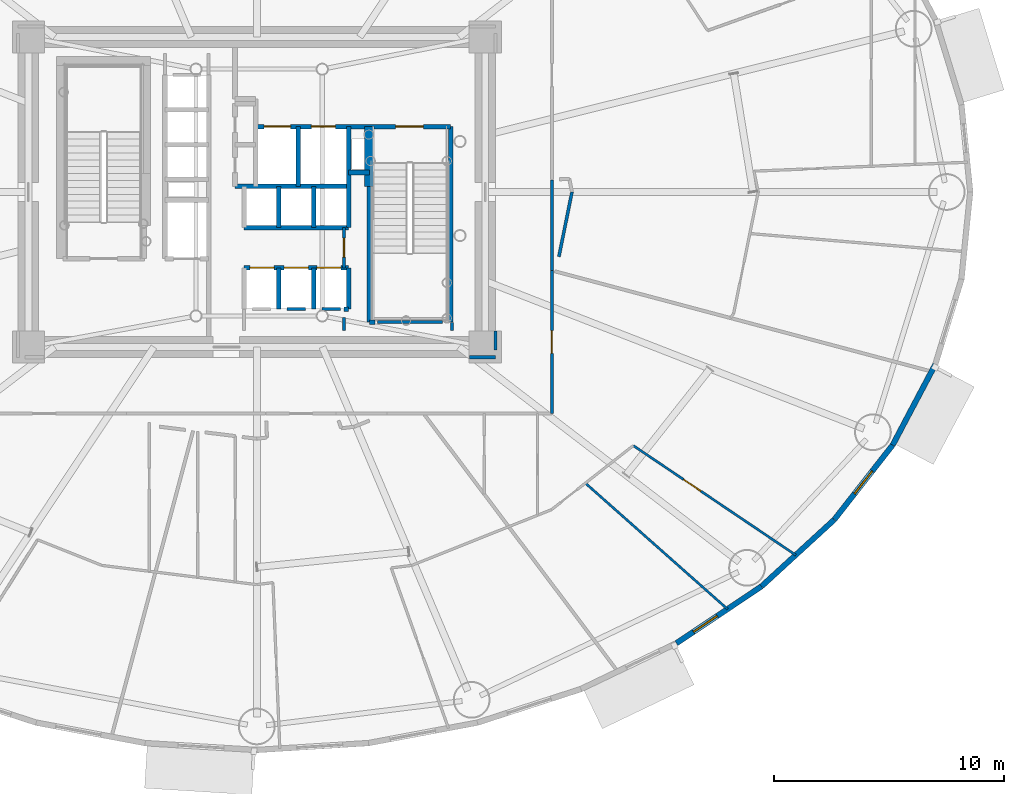
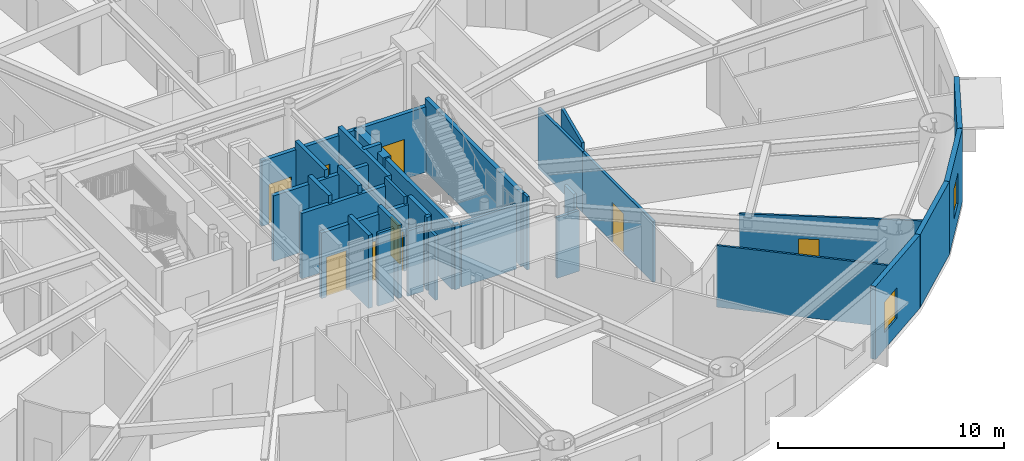
# One storey, part 13 of 24: 34 walls, 9 doors, 2 windows, 11 openings.
"""IFC4 building model written with IfcOpenShell, lengths in metres."""

import ifcopenshell
import ifcopenshell.guid

model = None  # the IFC model being written
_history = None  # IfcOwnerHistory: only IFC2X3 demands one
_inside = {}  # id of a spatial element -> (the spatial element, [elements in it])
_under = {}  # id of a project, library or spatial element -> (it, [spatial elements below it])
_declared = {}  # id of a project -> (the project, [libraries it declares])
_typed = {}  # id of a type object -> (the type object, [elements of that type])
_made_of = {}  # id of a material, layer set ... -> (it, [elements and type objects made of it])


def new_model(schema):
    """Start an empty IFC model of exactly this schema.

    Asked for "IFC4X3", IfcOpenShell would pick the latest addendum, in which some entities
    have other attributes; the version numbers below select the first issue.
    IFC2X3 requires an IfcOwnerHistory on every rooted entity: one is made here for all.
    """
    global model, _history
    if schema == "IFC4X3":
        model = ifcopenshell.file(schema_version=(4, 3, 0, 0))
    else:
        model = ifcopenshell.file(schema=schema)
    _inside.clear()
    _under.clear()
    _declared.clear()
    _typed.clear()
    _made_of.clear()
    _history = None
    if model.schema == "IFC2X3":
        org = make("IfcOrganization", Name="unknown")
        user = make(
            "IfcPersonAndOrganization",
            ThePerson=make("IfcPerson", FamilyName="unknown"),
            TheOrganization=org,
        )
        app = make(
            "IfcApplication",
            ApplicationDeveloper=org,
            Version="unknown",
            ApplicationFullName="unknown",
            ApplicationIdentifier="unknown",
        )
        _history = make(
            "IfcOwnerHistory",
            OwningUser=user,
            OwningApplication=app,
            ChangeAction="ADDED",
            CreationDate=0,
        )
    return model


def make(cls, **values):
    """One entity of the class cls with the attributes given. An attribute that is None is left unset."""
    return model.create_entity(
        cls, **{name: value for name, value in values.items() if value is not None}
    )


def rooted(cls, **values):
    """An entity with a GlobalId (a new one), such as an element, a storey or a relation."""
    return make(cls, GlobalId=ifcopenshell.guid.new(), OwnerHistory=_history, **values)


def si_unit(unit_type, name, prefix=None):
    """IfcSIUnit, for example si_unit("LENGTHUNIT", "METRE", prefix="MILLI")."""
    return make("IfcSIUnit", UnitType=unit_type, Prefix=prefix, Name=name)


def assignment(units):
    """IfcUnitAssignment: the units of a project."""
    return None if units is None else make("IfcUnitAssignment", Units=units)


def point(xyz):
    """IfcCartesianPoint."""
    return None if xyz is None else make("IfcCartesianPoint", Coordinates=xyz)


def direction(xyz):
    """IfcDirection."""
    return None if xyz is None else make("IfcDirection", DirectionRatios=xyz)


def frame(location, z_axis=None, x_axis=None):
    """IfcAxis2Placement3D, a coordinate frame: its origin and axes. An axis left out is left unset."""
    return make(
        "IfcAxis2Placement3D",
        Location=point(location),
        Axis=direction(z_axis),
        RefDirection=direction(x_axis),
    )


def frame_2d(location, x_axis=None):
    """IfcAxis2Placement2D, a coordinate frame in the plane: its origin and x axis."""
    return make(
        "IfcAxis2Placement2D", Location=point(location), RefDirection=direction(x_axis)
    )


def origin():
    """The frame at (0, 0, 0) with its axes left unset."""
    return frame((0.0, 0.0, 0.0))


def origin_2d():
    """The frame at (0, 0) in the plane with its x axis left unset."""
    return frame_2d((0.0, 0.0))


def place(relative_to, where):
    """IfcLocalPlacement: puts the frame where relative to a parent placement (None: the world)."""
    return make(
        "IfcLocalPlacement", PlacementRelTo=relative_to, RelativePlacement=where
    )


def context(
    kind, dimensions, precision=None, world=None, true_north=None, identifier=None
):
    """IfcGeometricRepresentationContext, for example the 3D "Model" context."""
    return make(
        "IfcGeometricRepresentationContext",
        ContextIdentifier=identifier,
        ContextType=kind,
        CoordinateSpaceDimension=dimensions,
        Precision=precision,
        WorldCoordinateSystem=world,
        TrueNorth=true_north,
    )


def subcontext(parent, identifier, kind, view, scale=None):
    """IfcGeometricRepresentationSubContext, for example "Body" below "Model"."""
    return make(
        "IfcGeometricRepresentationSubContext",
        ContextIdentifier=identifier,
        ContextType=kind,
        ParentContext=parent,
        TargetScale=scale,
        TargetView=view,
    )


def project(units=None, contexts=None):
    """IfcProject with its units and contexts."""
    return rooted(
        "IfcProject",
        Name="project",
        RepresentationContexts=contexts,
        UnitsInContext=assignment(units),
    )


def spatial(cls, under=None, at=None, **own):
    """A site, building, storey or space (cls), placed at a placement, below another one or the project."""
    s = rooted(cls, ObjectPlacement=at, **own)
    if under is not None:
        _under.setdefault(under.id(), (under, []))[1].append(s)
    return s


def profile(cls, at=None, kind="AREA", **sizes):
    """A parametric profile (cls). Its sizes go by their IFC names, for example OverallWidth=200.0."""
    return make(cls, ProfileType=kind, Position=at, **sizes)


def rectangle(**sizes):
    """IfcRectangleProfileDef."""
    return profile("IfcRectangleProfileDef", **sizes)


def extrude(swept, where, along, depth):
    """IfcExtrudedAreaSolid: the profile swept, set in the frame where, extruded along a direction by depth."""
    return make(
        "IfcExtrudedAreaSolid",
        SweptArea=swept,
        Position=where,
        ExtrudedDirection=direction(along),
        Depth=depth,
    )


def shape(context_of_items, identifier, shape_type, items):
    """IfcShapeRepresentation: the items that make up one representation, for example the "Body"."""
    return make(
        "IfcShapeRepresentation",
        ContextOfItems=context_of_items,
        RepresentationIdentifier=identifier,
        RepresentationType=shape_type,
        Items=items,
    )


def source(mapping_origin, context_of_items, identifier, shape_type, items):
    """IfcRepresentationMap: a shape defined once, which mapped items show again and again."""
    return make(
        "IfcRepresentationMap",
        MappingOrigin=mapping_origin,
        MappedRepresentation=shape(context_of_items, identifier, shape_type, items),
    )


def transform(
    local_origin,
    x_axis=None,
    y_axis=None,
    z_axis=None,
    scale=None,
    scale2=None,
    scale3=None,
    uniform=True,
):
    """IfcCartesianTransformationOperator3D, or its non-uniform kind. x_axis, y_axis, z_axis: its Axis1, 2, 3."""
    if uniform:
        return make(
            "IfcCartesianTransformationOperator3D",
            Axis1=direction(x_axis),
            Axis2=direction(y_axis),
            LocalOrigin=point(local_origin),
            Scale=scale,
            Axis3=direction(z_axis),
        )
    return make(
        "IfcCartesianTransformationOperator3DnonUniform",
        Axis1=direction(x_axis),
        Axis2=direction(y_axis),
        LocalOrigin=point(local_origin),
        Scale=scale,
        Axis3=direction(z_axis),
        Scale2=scale2,
        Scale3=scale3,
    )


def mapped(mapping_source, mapping_target):
    """IfcMappedItem: shows the shape of a source again, moved by a transform."""
    return make(
        "IfcMappedItem", MappingSource=mapping_source, MappingTarget=mapping_target
    )


def material(Name=None, Category=None):
    """IfcMaterial."""
    return make("IfcMaterial", Name=Name, Category=Category)


def layer(
    of_material, thickness, ventilated=None, Name=None, Category=None, Priority=None
):
    """IfcMaterialLayer: one layer of a wall or slab, of a material (None: an air gap)."""
    return make(
        "IfcMaterialLayer",
        Material=of_material,
        LayerThickness=thickness,
        IsVentilated=ventilated,
        Name=Name,
        Category=Category,
        Priority=Priority,
    )


def layer_set(layers, Name=None):
    """IfcMaterialLayerSet."""
    return make("IfcMaterialLayerSet", MaterialLayers=layers, LayerSetName=Name)


def made_of(thing, what):
    """Note that an element or type object is made of a material, layer set ...; save() writes the relation."""
    if what is not None:
        _made_of.setdefault(what.id(), (what, []))[1].append(thing)
    return thing


def type_object(cls, material=None, **own):
    """A type object (cls), such as IfcWallType, which elements share."""
    return made_of(rooted(cls, **own), material)


def element(
    cls,
    number,
    at=None,
    inside=None,
    cuts=None,
    type_object=None,
    material=None,
    context=None,
    identifier="Body",
    shape_type=None,
    held_by="IfcProductDefinitionShape",
    body=None,
    shapes=None,
    **own,
):
    """One element of the class cls, such as IfcWall. Its Tag is "e" and its number.

    at: its placement. inside: the storey or other place that contains it. cuts: it is an
    opening in that element (IfcRelVoidsElement). A single representation is given by context,
    identifier, shape_type and body (its items); several are given by shapes. held_by: the class
    of the entity that holds the representations. save() writes the other relations.
    """
    e = rooted(cls, Tag="e%d" % number, ObjectPlacement=at, **own)
    if body is not None:
        shapes = [shape(context, identifier, shape_type, body)]
    if shapes is not None:
        e.Representation = make(held_by, Representations=shapes)
    if inside is not None:
        _inside.setdefault(inside.id(), (inside, []))[1].append(e)
    if cuts is not None:
        rooted(
            "IfcRelVoidsElement", RelatingBuildingElement=cuts, RelatedOpeningElement=e
        )
    if type_object is not None:
        _typed.setdefault(type_object.id(), (type_object, []))[1].append(e)
    return made_of(e, material)


def fill(opening, filler):
    """IfcRelFillsElement: the door or window that sits in an opening."""
    return rooted(
        "IfcRelFillsElement",
        RelatingOpeningElement=opening,
        RelatedBuildingElement=filler,
    )


def aggregate(whole, parts):
    """IfcRelAggregates: a whole, such as a stair, and the parts it consists of."""
    return rooted("IfcRelAggregates", RelatingObject=whole, RelatedObjects=parts)


def save(model, path):
    """Write the relations noted so far, then the file.

    IfcRelAggregates (storeys below a building ...), IfcRelContainedInSpatialStructure (elements
    in a storey), IfcRelDefinesByType, IfcRelAssociatesMaterial and IfcRelDeclares: one each for
    every whole, place, type object, material and project.
    """
    for whole, parts in _under.values():
        aggregate(whole, parts)
    for where, things in _inside.values():
        rooted(
            "IfcRelContainedInSpatialStructure",
            RelatedElements=things,
            RelatingStructure=where,
        )
    for kind, things in _typed.values():
        rooted("IfcRelDefinesByType", RelatedObjects=things, RelatingType=kind)
    for what, things in _made_of.values():
        rooted("IfcRelAssociatesMaterial", RelatedObjects=things, RelatingMaterial=what)
    for by, libraries in _declared.values():
        rooted("IfcRelDeclares", RelatingContext=by, RelatedDefinitions=libraries)
    model.write(path)


model = new_model("IFC4")

# Units and contexts
model_context = context("Model", 3, precision=1e-05, world=origin(), true_north=direction((0.0, 1.0)))
body_context = subcontext(model_context, "Body", "Model", "MODEL_VIEW")
ifc_project = project(units=[si_unit("LENGTHUNIT", "METRE"), si_unit("AREAUNIT", "SQUARE_METRE"), si_unit("VOLUMEUNIT", "CUBIC_METRE"), si_unit("PLANEANGLEUNIT", "RADIAN"), si_unit("MASSUNIT", "GRAM", prefix="KILO")], contexts=[model_context])

# Site, building, storey
site_placement = place(None, origin())
site = spatial("IfcSite", under=ifc_project, at=site_placement, CompositionType="ELEMENT")
building_placement = place(site_placement, origin())
building = spatial("IfcBuilding", under=site, at=building_placement, Name="Linh Dai School and Residence Tower", CompositionType="ELEMENT")
storey_placement = place(building_placement, frame((0.0, 0.0, 70.199951171875)))
storey = spatial("IfcBuildingStorey", under=building, at=storey_placement, Name="L16", CompositionType="ELEMENT", Elevation=70.199951171875)

# Wall, opening, window
ifc_material_1 = material(Name="Precast Concrete B45 (C35/45)", Category="concrete")
ifc_layer_1 = layer(ifc_material_1, 0.239990234375)
ifc_layer_set_1 = layer_set([ifc_layer_1], Name="Precast Concrete B45 (C35/45)")
wall_type_1 = type_object("IfcWallType", Name="EW-TC-240", PredefinedType="SOLIDWALL", material=ifc_layer_set_1)
wall_1_placement = place(storey_placement, frame((57.984619140625, 9.82373046875, 0.0), z_axis=(0.0, 0.0, 1.0), x_axis=(-0.831240982525, -0.555912249343, 0.0)))
wall_1 = element("IfcWall", 1, at=wall_1_placement, inside=storey, type_object=wall_type_1, Name="L16 Terracotta Exterior Wall 35", PredefinedType="SOLIDWALL", context=body_context, shape_type="SweptSolid", body=[
    extrude(rectangle(XDim=4.460205078125, YDim=0.239990234375, at=frame_2d((2.22998046875, 0.0))), origin(), (0.0, 0.0, 1.0), 3.949951171875),
])
opening_1_placement = place(wall_1_placement, frame((2.318359375, 0.0, 0.89990234375)))
opening_1 = element("IfcOpeningElement", 2, at=opening_1_placement, cuts=wall_1, Name="Opening W3", PredefinedType="OPENING", context=body_context, shape_type="SweptSolid", body=[
    extrude(rectangle(XDim=1.25, YDim=1.64990234375, at=origin_2d()), frame((0.625, 0.1298828125, 0.824951171875), z_axis=(0.0, -1.0, 0.0), x_axis=(1.0, 0.0, 0.0)), (0.0, 0.0, 1.0), 0.260009765625),
])
ifc_material_2 = material(Name="Double Low-E Insulated Glazing", Category="glass")
window_type = type_object("IfcWindowType", Name="WN-RES-1250x1650", PartitioningType="SINGLE_PANEL", PredefinedType="WINDOW", material=ifc_material_2)
shared_shape_1 = source(origin(), body_context, "Body", "SweptSolid", [
    extrude(rectangle(XDim=1.25, YDim=1.64990234375, at=origin_2d()), frame((0.625, 0.030029296875, 0.824951171875), z_axis=(0.0, -1.0, 0.0), x_axis=(1.0, 0.0, 0.0)), (0.0, 0.0, 1.0), 0.06005859375),
])
window_1_placement = place(opening_1_placement, origin())
window_1 = element("IfcWindow", 3, at=window_1_placement, inside=storey, type_object=window_type, Name="L16 Exterior Window 35.1", OverallHeight=1.64990234375, OverallWidth=1.25, PartitioningType="SINGLE_PANEL", PredefinedType="WINDOW", context=body_context, shape_type="MappedRepresentation", body=[
    mapped(shared_shape_1, transform((0.0, 0.0, 0.0), x_axis=(1.0, 0.0, 0.0), y_axis=(0.0, 1.0, 0.0), z_axis=(0.0, 0.0, 1.0), scale=1.0)),
])
fill(opening_1, window_1)

# Wall
wall_2_placement = place(storey_placement, frame((61.149658203125, 12.725341796875, 0.0), z_axis=(0.0, 0.0, 1.0), x_axis=(-0.737116376281, -0.67576582321, 0.0)))
element("IfcWall", 4, at=wall_2_placement, inside=storey, type_object=wall_type_1, Name="L16 Terracotta Exterior Wall 36", PredefinedType="SOLIDWALL", context=body_context, shape_type="SweptSolid", body=[
    extrude(rectangle(XDim=4.293701171875, YDim=0.239990234375, at=frame_2d((2.14697265625, 0.0))), origin(), (0.0, 0.0, 1.0), 3.949951171875),
])

# Wall, opening, window
wall_3_placement = place(storey_placement, frame((63.694580078125, 15.977294921875, 0.0), z_axis=(0.0, 0.0, 1.0), x_axis=(-0.616295508253, -0.787514981767, 0.0)))
wall_3 = element("IfcWall", 5, at=wall_3_placement, inside=storey, type_object=wall_type_1, Name="L16 Terracotta Exterior Wall 37", PredefinedType="SOLIDWALL", context=body_context, shape_type="SweptSolid", body=[
    extrude(rectangle(XDim=4.12939453125, YDim=0.239990234375, at=frame_2d((2.064697265625, 0.0))), origin(), (0.0, 0.0, 1.0), 3.949951171875),
])
opening_2_placement = place(wall_3_placement, frame((1.439697265625, 0.0, 0.89990234375)))
opening_2 = element("IfcOpeningElement", 6, at=opening_2_placement, cuts=wall_3, Name="Opening W3", PredefinedType="OPENING", context=body_context, shape_type="SweptSolid", body=[
    extrude(rectangle(XDim=1.25, YDim=1.64990234375, at=origin_2d()), frame((0.625, 0.1298828125, 0.824951171875), z_axis=(0.0, -1.0, 0.0), x_axis=(1.0, 0.0, 0.0)), (0.0, 0.0, 1.0), 0.260009765625),
])
window_2_placement = place(opening_2_placement, origin())
window_2 = element("IfcWindow", 7, at=window_2_placement, inside=storey, type_object=window_type, Name="L16 Dwelling Window U1606-LIV", OverallHeight=1.64990234375, OverallWidth=1.25, PartitioningType="SINGLE_PANEL", PredefinedType="WINDOW", context=body_context, shape_type="MappedRepresentation", body=[
    mapped(shared_shape_1, transform((0.0, 0.0, 0.0), x_axis=(1.0, 0.0, 0.0), y_axis=(0.0, 1.0, 0.0), z_axis=(0.0, 0.0, 1.0), scale=1.0)),
])
fill(opening_2, window_2)

# Wall
wall_4_placement = place(storey_placement, frame((65.5576171875, 19.49853515625, 0.0), z_axis=(0.0, 0.0, 1.0), x_axis=(-0.467662443071, -0.883907144072, 0.0)))
element("IfcWall", 8, at=wall_4_placement, inside=storey, type_object=wall_type_1, Name="L16 Terracotta Exterior Wall 38", PredefinedType="SOLIDWALL", context=body_context, shape_type="SweptSolid", body=[
    extrude(rectangle(XDim=3.983642578125, YDim=0.239990234375, at=frame_2d((1.99169921875, 0.0))), origin(), (0.0, 0.0, 1.0), 3.949951171875),
])

# Wall, opening, door
ifc_material_3 = material(Name="Autoclaved Aerated Concrete Blockwork", Category="masonry")
ifc_layer_2 = layer(ifc_material_3, 0.135009765625)
ifc_layer_set_2 = layer_set([ifc_layer_2], Name="Autoclaved Aerated Concrete Blockwork")
wall_type_2 = type_object("IfcWallType", Name="IW-CORR-135-EI90", PredefinedType="PARTITIONING", material=ifc_layer_set_2)
wall_5_placement = place(storey_placement, frame((39.800048828125, 23.699951171875, 0.0), z_axis=(0.0, 0.0, 1.0), x_axis=(0.0, 1.0, 0.0)))
wall_5 = element("IfcWall", 9, at=wall_5_placement, inside=storey, type_object=wall_type_2, Name="L16 Interior Partition Wall 074", PredefinedType="PARTITIONING", context=body_context, shape_type="SweptSolid", body=[
    extrude(rectangle(XDim=1.75, YDim=0.135009765625, at=frame_2d((0.875, 0.0))), origin(), (0.0, 0.0, 1.0), 3.949951171875),
])
opening_3_placement = place(wall_5_placement, frame((0.465087890625, 0.0, 0.0)))
opening_3 = element("IfcOpeningElement", 10, at=opening_3_placement, cuts=wall_5, Name="Opening D06", PredefinedType="OPENING", context=body_context, shape_type="SweptSolid", body=[
    extrude(rectangle(XDim=0.820068359375, YDim=2.10009765625, at=origin_2d()), frame((0.41015625, 0.07763671875, 1.050048828125), z_axis=(0.0, -1.0, 0.0), x_axis=(1.0, 0.0, 0.0)), (0.0, 0.0, 1.0), 0.155029296875),
])
ifc_material_4 = material(Name="Moisture-Resistant Timber Bathroom Door", Category="wood")
door_type_1 = type_object("IfcDoorType", Name="DR-WET-820x2100", OperationType="NOTDEFINED", PredefinedType="DOOR", material=ifc_material_4)
shared_shape_2 = source(origin(), body_context, "Body", "SweptSolid", [
    extrude(rectangle(XDim=0.820068359375, YDim=2.10009765625, at=origin_2d()), frame((0.41015625, 0.02490234375, 1.050048828125), z_axis=(0.0, -1.0, 0.0), x_axis=(1.0, 0.0, 0.0)), (0.0, 0.0, 1.0), 0.050048828125),
])
door_1_placement = place(opening_3_placement, origin())
door_1 = element("IfcDoor", 11, at=door_1_placement, inside=storey, type_object=door_type_1, Name="L16 Core Housekeeping Store Door", OperationType="SINGLE_SWING_RIGHT", OverallHeight=2.10009765625, OverallWidth=0.820068359375, PredefinedType="DOOR", context=body_context, shape_type="MappedRepresentation", body=[
    mapped(shared_shape_2, transform((0.0, 0.0, 0.0), x_axis=(1.0, 0.0, 0.0), y_axis=(0.0, 1.0, 0.0), z_axis=(0.0, 0.0, 1.0), scale=1.0)),
])
fill(opening_3, door_1)

wall_6_placement = place(storey_placement, frame((48.85009765625, 17.35009765625, 0.0), z_axis=(0.0, 0.0, 1.0), x_axis=(0.0, 1.0, 0.0)))
wall_6 = element("IfcWall", 12, at=wall_6_placement, inside=storey, type_object=wall_type_2, Name="L16 Interior Partition Wall 092", PredefinedType="PARTITIONING", context=body_context, shape_type="SweptSolid", body=[
    extrude(rectangle(XDim=6.23046875, YDim=0.135009765625, at=frame_2d((3.115234375, 0.0))), origin(), (0.0, 0.0, 1.0), 3.28515625),
])
opening_4_placement = place(wall_6_placement, frame((2.615234375, 0.0, 0.0)))
opening_4 = element("IfcOpeningElement", 13, at=opening_4_placement, cuts=wall_6, Name="Opening D03", PredefinedType="OPENING", context=body_context, shape_type="SweptSolid", body=[
    extrude(rectangle(XDim=1.0, YDim=2.14990234375, at=origin_2d()), frame((0.5, 0.07763671875, 1.074951171875), z_axis=(0.0, -1.0, 0.0), x_axis=(1.0, 0.0, 0.0)), (0.0, 0.0, 1.0), 0.155029296875),
])
ifc_material_5 = material(Name="Fire-Rated Solid Timber Entrance Door", Category="wood")
door_type_2 = type_object("IfcDoorType", Name="DR-FLAT-1000x2150-FD60S", OperationType="NOTDEFINED", PredefinedType="DOOR", material=ifc_material_5)
shared_shape_3 = source(origin(), body_context, "Body", "SweptSolid", [
    extrude(rectangle(XDim=1.0, YDim=2.14990234375, at=origin_2d()), frame((0.5, 0.02490234375, 1.074951171875), z_axis=(0.0, -1.0, 0.0), x_axis=(1.0, 0.0, 0.0)), (0.0, 0.0, 1.0), 0.050048828125),
])
door_2_placement = place(opening_4_placement, origin())
door_2 = element("IfcDoor", 14, at=door_2_placement, inside=storey, type_object=door_type_2, Name="L16 U1606 Apartment Entrance Door", OperationType="SINGLE_SWING_RIGHT", OverallHeight=2.14990234375, OverallWidth=1.0, PredefinedType="DOOR", context=body_context, shape_type="MappedRepresentation", body=[
    mapped(shared_shape_3, transform((0.0, 0.0, 0.0), x_axis=(1.0, 0.0, 0.0), y_axis=(0.0, 1.0, 0.0), z_axis=(0.0, 0.0, 1.0), scale=1.0)),
])
fill(opening_4, door_2)

# Walls
wall_7_placement = place(storey_placement, frame((44.080078125, 21.330078125, 0.0), z_axis=(0.0, 0.0, 1.0), x_axis=(-1.0, 0.0, 0.0)))
element("IfcWall", 15, at=wall_7_placement, inside=storey, type_object=wall_type_2, Name="L16 Interior Partition Wall 109", PredefinedType="PARTITIONING", context=body_context, shape_type="SweptSolid", body=[
    extrude(rectangle(XDim=2.820068359375, YDim=0.135009765625, at=frame_2d((1.41015625, 0.0))), origin(), (0.0, 0.0, 1.0), 3.485107421875),
])
wall_8_placement = place(storey_placement, frame((38.1201171875, 21.89990234375, 0.0), z_axis=(0.0, 0.0, 1.0), x_axis=(-1.0, 0.0, 0.0)))
element("IfcWall", 16, at=wall_8_placement, inside=storey, type_object=wall_type_2, Name="L16 Interior Partition Wall 111", PredefinedType="PARTITIONING", context=body_context, shape_type="SweptSolid", body=[
    extrude(rectangle(XDim=0.800048828125, YDim=0.135009765625, at=frame_2d((0.39990234375, 0.0))), origin(), (0.0, 0.0, 1.0), 3.949951171875),
])
wall_9_placement = place(storey_placement, frame((39.639892578125, 21.89990234375, 0.0), z_axis=(0.0, 0.0, 1.0), x_axis=(-1.0, 0.0, 0.0)))
element("IfcWall", 17, at=wall_9_placement, inside=storey, type_object=wall_type_2, Name="L16 Interior Partition Wall 112", PredefinedType="PARTITIONING", context=body_context, shape_type="SweptSolid", body=[
    extrude(rectangle(XDim=0.7998046875, YDim=0.135009765625, at=frame_2d((0.39990234375, 0.0))), origin(), (0.0, 0.0, 1.0), 3.53515625),
])
wall_10_placement = place(storey_placement, frame((39.800048828125, 20.9599609375, 0.0), z_axis=(0.0, 0.0, 1.0), x_axis=(0.0, 1.0, 0.0)))
element("IfcWall", 18, at=wall_10_placement, inside=storey, type_object=wall_type_2, Name="L16 Interior Partition Wall 114", PredefinedType="PARTITIONING", context=body_context, shape_type="SweptSolid", body=[
    extrude(rectangle(XDim=0.580078125, YDim=0.135009765625, at=frame_2d((0.2900390625, 0.0))), origin(), (0.0, 0.0, 1.0), 3.485107421875),
])
wall_11_placement = place(storey_placement, frame((44.5, 20.9599609375, 0.0), z_axis=(0.0, 0.0, 1.0), x_axis=(0.0, 1.0, 0.0)))
element("IfcWall", 19, at=wall_11_placement, inside=storey, type_object=wall_type_2, Name="L16 Interior Partition Wall 116", PredefinedType="PARTITIONING", context=body_context, shape_type="SweptSolid", body=[
    extrude(rectangle(XDim=0.360107421875, YDim=0.135009765625, at=frame_2d((0.18017578125, 0.0))), origin(), (0.0, 0.0, 1.0), 3.949951171875),
])
wall_12_placement = place(storey_placement, frame((48.85009765625, 27.5283203125, 0.0), z_axis=(0.0, 0.0, 1.0), x_axis=(0.0, -1.0, 0.0)))
element("IfcWall", 20, at=wall_12_placement, inside=storey, type_object=wall_type_2, Name="L16 Interior Partition Wall 121", PredefinedType="PARTITIONING", context=body_context, shape_type="SweptSolid", body=[
    extrude(rectangle(XDim=3.937744140625, YDim=0.135009765625, at=frame_2d((1.96875, 0.0))), origin(), (0.0, 0.0, 1.0), 3.28515625),
])
wall_13_placement = place(storey_placement, frame((45.260009765625, 19.800048828125, 0.0), z_axis=(0.0, 0.0, 1.0), x_axis=(1.0, 0.0, 0.0)))
element("IfcWall", 21, at=wall_13_placement, inside=storey, type_object=wall_type_2, Name="L16 Interior Partition Wall 130", PredefinedType="PARTITIONING", context=body_context, shape_type="SweptSolid", body=[
    extrude(rectangle(XDim=1.139892578125, YDim=0.135009765625, at=frame_2d((0.56982421875, 0.0))), origin(), (0.0, 0.0, 1.0), 3.28515625),
])
wall_14_placement = place(storey_placement, frame((46.39990234375, 20.107421875, 0.0), z_axis=(0.0, 0.0, 1.0), x_axis=(0.0, 1.0, 0.0)))
element("IfcWall", 22, at=wall_14_placement, inside=storey, type_object=wall_type_2, Name="L16 Interior Partition Wall 131", PredefinedType="PARTITIONING", context=body_context, shape_type="SweptSolid", body=[
    extrude(rectangle(XDim=0.83251953125, YDim=0.135009765625, at=frame_2d((0.416259765625, 0.0))), origin(), (0.0, 0.0, 1.0), 3.949951171875),
])
wall_15_placement = place(storey_placement, frame((49.157470703125, 24.1796875, 0.0), z_axis=(0.0, 0.0, 1.0), x_axis=(0.19828576171, 0.980144253007, 0.0)))
element("IfcWall", 23, at=wall_15_placement, inside=storey, type_object=wall_type_2, Name="L16 Interior Partition Wall 150", PredefinedType="PARTITIONING", context=body_context, shape_type="SweptSolid", body=[
    extrude(rectangle(XDim=2.87744140625, YDim=0.135009765625, at=frame_2d((1.438720703125, 0.0))), origin(), (0.0, 0.0, 1.0), 3.28515625),
])
ifc_material_6 = material(Name="Concrete B45 (C35/45)", Category="concrete")
ifc_layer_3 = layer(ifc_material_6, 0.199951171875)
ifc_layer_set_3 = layer_set([ifc_layer_3], Name="Concrete B45 (C35/45)")
wall_type_3 = type_object("IfcWallType", Name="IW-SHAFT-200-EI120", PredefinedType="PARTITIONING", material=ifc_layer_set_3)
wall_16_placement = place(storey_placement, frame((35.050048828125, 27.25, 0.0), z_axis=(0.0, 0.0, 1.0), x_axis=(1.0, 0.0, 0.0)))
element("IfcWall", 24, at=wall_16_placement, inside=storey, type_object=wall_type_3, Name="L16 Interior Partition Wall 048", PredefinedType="PARTITIONING", context=body_context, shape_type="SweptSolid", body=[
    extrude(rectangle(XDim=4.949951171875, YDim=0.199951171875, at=frame_2d((2.47509765625, 0.0))), origin(), (0.0, 0.0, 1.0), 3.53515625),
])

# Wall, openings, doors
wall_17_placement = place(storey_placement, frame((35.449951171875, 23.699951171875, 0.0), z_axis=(0.0, 0.0, 1.0), x_axis=(1.0, 0.0, 0.0)))
wall_17 = element("IfcWall", 25, at=wall_17_placement, inside=storey, type_object=wall_type_3, Name="L16 Interior Partition Wall 055", PredefinedType="PARTITIONING", context=body_context, shape_type="SweptSolid", body=[
    extrude(rectangle(XDim=4.550048828125, YDim=0.199951171875, at=frame_2d((2.27490234375, 0.0))), origin(), (0.0, 0.0, 1.0), 3.53515625),
])
opening_5_placement = place(wall_17_placement, frame((0.25, 0.0, 0.0)))
opening_5 = element("IfcOpeningElement", 26, at=opening_5_placement, cuts=wall_17, Name="Opening LD-PL1", PredefinedType="OPENING", context=body_context, shape_type="SweptSolid", body=[
    extrude(rectangle(XDim=1.050048828125, YDim=2.14990234375, at=origin_2d()), frame((0.52490234375, 0.10986328125, 1.074951171875), z_axis=(0.0, -1.0, 0.0), x_axis=(1.0, 0.0, 0.0)), (0.0, 0.0, 1.0), 0.219970703125),
])
opening_6_placement = place(wall_17_placement, frame((1.7451171875, 0.0, 0.0)))
opening_6 = element("IfcOpeningElement", 27, at=opening_6_placement, cuts=wall_17, Name="Opening LD-PL2", PredefinedType="OPENING", context=body_context, shape_type="SweptSolid", body=[
    extrude(rectangle(XDim=1.050048828125, YDim=2.14990234375, at=origin_2d()), frame((0.52490234375, 0.10986328125, 1.074951171875), z_axis=(0.0, -1.0, 0.0), x_axis=(1.0, 0.0, 0.0)), (0.0, 0.0, 1.0), 0.219970703125),
])
opening_7_placement = place(wall_17_placement, frame((3.1650390625, 0.0, 0.0)))
opening_7 = element("IfcOpeningElement", 28, at=opening_7_placement, cuts=wall_17, Name="Opening LD-PL3", PredefinedType="OPENING", context=body_context, shape_type="SweptSolid", body=[
    extrude(rectangle(XDim=1.050048828125, YDim=2.14990234375, at=origin_2d()), frame((0.52490234375, 0.10986328125, 1.074951171875), z_axis=(0.0, -1.0, 0.0), x_axis=(1.0, 0.0, 0.0)), (0.0, 0.0, 1.0), 0.219970703125),
])
ifc_material_7 = material(Name="Brushed Stainless Steel Lift Landing Door", Category="steel")
door_type_3 = type_object("IfcDoorType", Name="DR-LD-PASS-1050x2150", OperationType="DOUBLE_DOOR_SLIDING", PredefinedType="USERDEFINED", material=ifc_material_7)
shared_shape_4 = source(origin(), body_context, "Body", "SweptSolid", [
    extrude(rectangle(XDim=1.050048828125, YDim=2.14990234375, at=origin_2d()), frame((0.52490234375, 0.02490234375, 1.074951171875), z_axis=(0.0, -1.0, 0.0), x_axis=(1.0, 0.0, 0.0)), (0.0, 0.0, 1.0), 0.050048828125),
])
door_3_placement = place(opening_5_placement, origin())
door_3 = element("IfcDoor", 29, at=door_3_placement, inside=storey, type_object=door_type_3, Name="L16 Lift PL1 Sliding Landing Door", ObjectType="LANDING DOOR", OperationType="DOUBLE_DOOR_SLIDING", OverallHeight=2.14990234375, OverallWidth=1.050048828125, PredefinedType="USERDEFINED", context=body_context, shape_type="MappedRepresentation", body=[
    mapped(shared_shape_4, transform((0.0, 0.0, 0.0), x_axis=(1.0, 0.0, 0.0), y_axis=(0.0, 1.0, 0.0), z_axis=(0.0, 0.0, 1.0), scale=1.0)),
])
fill(opening_5, door_3)
door_4_placement = place(opening_6_placement, origin())
door_4 = element("IfcDoor", 30, at=door_4_placement, inside=storey, type_object=door_type_3, Name="L16 Lift PL2 Sliding Landing Door", ObjectType="LANDING DOOR", OperationType="DOUBLE_DOOR_SLIDING", OverallHeight=2.14990234375, OverallWidth=1.050048828125, PredefinedType="USERDEFINED", context=body_context, shape_type="MappedRepresentation", body=[
    mapped(shared_shape_4, transform((0.0, 0.0, 0.0), x_axis=(1.0, 0.0, 0.0), y_axis=(0.0, 1.0, 0.0), z_axis=(0.0, 0.0, 1.0), scale=1.0)),
])
fill(opening_6, door_4)
door_5_placement = place(opening_7_placement, origin())
door_5 = element("IfcDoor", 31, at=door_5_placement, inside=storey, type_object=door_type_3, Name="L16 Lift PL3 Sliding Landing Door", ObjectType="LANDING DOOR", OperationType="DOUBLE_DOOR_SLIDING", OverallHeight=2.14990234375, OverallWidth=1.050048828125, PredefinedType="USERDEFINED", context=body_context, shape_type="MappedRepresentation", body=[
    mapped(shared_shape_4, transform((0.0, 0.0, 0.0), x_axis=(1.0, 0.0, 0.0), y_axis=(0.0, 1.0, 0.0), z_axis=(0.0, 0.0, 1.0), scale=1.0)),
])
fill(opening_7, door_5)

# Wall
wall_18_placement = place(storey_placement, frame((35.449951171875, 25.449951171875, 0.0), z_axis=(0.0, 0.0, 1.0), x_axis=(1.0, 0.0, 0.0)))
element("IfcWall", 32, at=wall_18_placement, inside=storey, type_object=wall_type_3, Name="L16 Interior Partition Wall 057", PredefinedType="PARTITIONING", context=body_context, shape_type="SweptSolid", body=[
    extrude(rectangle(XDim=4.550048828125, YDim=0.199951171875, at=frame_2d((2.27490234375, 0.0))), origin(), (0.0, 0.0, 1.0), 3.53515625),
])

# Wall, openings, doors
wall_19_placement = place(storey_placement, frame((35.949951171875, 29.85009765625, 0.0), z_axis=(0.0, 0.0, 1.0), x_axis=(1.0, 0.0, 0.0)))
wall_19 = element("IfcWall", 33, at=wall_19_placement, inside=storey, type_object=wall_type_3, Name="L16 Interior Partition Wall 059", PredefinedType="PARTITIONING", context=body_context, shape_type="SweptSolid", body=[
    extrude(rectangle(XDim=8.489990234375, YDim=0.199951171875, at=frame_2d((4.2451171875, 0.0))), origin(), (0.0, 0.0, 1.0), 3.53515625),
])
opening_8_placement = place(wall_19_placement, frame((6.10009765625, 0.0, 0.0)))
opening_8 = element("IfcOpeningElement", 34, at=opening_8_placement, cuts=wall_19, Name="Opening D01", PredefinedType="OPENING", context=body_context, shape_type="SweptSolid", body=[
    extrude(rectangle(XDim=1.199951171875, YDim=2.14990234375, at=origin_2d()), frame((0.60009765625, 0.10986328125, 1.074951171875), z_axis=(0.0, -1.0, 0.0), x_axis=(1.0, 0.0, 0.0)), (0.0, 0.0, 1.0), 0.219970703125),
])
opening_9_placement = place(wall_19_placement, frame((0.3701171875, 0.0, 0.0)))
opening_9 = element("IfcOpeningElement", 35, at=opening_9_placement, cuts=wall_19, Name="Opening LD-FF1", PredefinedType="OPENING", context=body_context, shape_type="SweptSolid", body=[
    extrude(rectangle(XDim=1.14990234375, YDim=2.14990234375, at=origin_2d()), frame((0.574951171875, 0.10986328125, 1.074951171875), z_axis=(0.0, -1.0, 0.0), x_axis=(1.0, 0.0, 0.0)), (0.0, 0.0, 1.0), 0.219970703125),
])
opening_10_placement = place(wall_19_placement, frame((2.425048828125, 0.0, 0.0)))
opening_10 = element("IfcOpeningElement", 36, at=opening_10_placement, cuts=wall_19, Name="Opening LD-SV1", PredefinedType="OPENING", context=body_context, shape_type="SweptSolid", body=[
    extrude(rectangle(XDim=1.050048828125, YDim=2.14990234375, at=origin_2d()), frame((0.52490234375, 0.10986328125, 1.074951171875), z_axis=(0.0, -1.0, 0.0), x_axis=(1.0, 0.0, 0.0)), (0.0, 0.0, 1.0), 0.219970703125),
])
ifc_material_8 = material(Name="Fire-Rated Steel Door Leaf", Category="steel")
door_type_4 = type_object("IfcDoorType", Name="DR-STAIR-1200x2150-FD90S", OperationType="NOTDEFINED", PredefinedType="DOOR", material=ifc_material_8)
shared_shape_5 = source(origin(), body_context, "Body", "SweptSolid", [
    extrude(rectangle(XDim=1.199951171875, YDim=2.14990234375, at=origin_2d()), frame((0.60009765625, 0.02490234375, 1.074951171875), z_axis=(0.0, -1.0, 0.0), x_axis=(1.0, 0.0, 0.0)), (0.0, 0.0, 1.0), 0.050048828125),
])
door_6_placement = place(opening_8_placement, origin())
door_6 = element("IfcDoor", 37, at=door_6_placement, inside=storey, type_object=door_type_4, Name="L16 Core Smokeproof Exit Stair ST2 Door", OperationType="SINGLE_SWING_LEFT", OverallHeight=2.14990234375, OverallWidth=1.199951171875, PredefinedType="DOOR", context=body_context, shape_type="MappedRepresentation", body=[
    mapped(shared_shape_5, transform((0.0, 0.0, 0.0), x_axis=(1.0, 0.0, 0.0), y_axis=(0.0, 1.0, 0.0), z_axis=(0.0, 0.0, 1.0), scale=1.0)),
])
fill(opening_8, door_6)
ifc_material_9 = material(Name="Fire-Rated Stainless Steel Firefighting Lift Door", Category="steel")
door_type_5 = type_object("IfcDoorType", Name="DR-LD-FF-1150x2150-FD120", OperationType="DOUBLE_DOOR_SLIDING", PredefinedType="USERDEFINED", material=ifc_material_9)
shared_shape_6 = source(origin(), body_context, "Body", "SweptSolid", [
    extrude(rectangle(XDim=1.14990234375, YDim=2.14990234375, at=origin_2d()), frame((0.574951171875, 0.02490234375, 1.074951171875), z_axis=(0.0, -1.0, 0.0), x_axis=(1.0, 0.0, 0.0)), (0.0, 0.0, 1.0), 0.050048828125),
])
door_7_placement = place(opening_9_placement, origin())
door_7 = element("IfcDoor", 38, at=door_7_placement, inside=storey, type_object=door_type_5, Name="L16 Lift FF1 Sliding Landing Door", ObjectType="LANDING DOOR", OperationType="DOUBLE_DOOR_SLIDING", OverallHeight=2.14990234375, OverallWidth=1.14990234375, PredefinedType="USERDEFINED", context=body_context, shape_type="MappedRepresentation", body=[
    mapped(shared_shape_6, transform((0.0, 0.0, 0.0), x_axis=(1.0, 0.0, 0.0), y_axis=(0.0, 1.0, 0.0), z_axis=(0.0, 0.0, 1.0), scale=1.0)),
])
fill(opening_9, door_7)
door_8_placement = place(opening_10_placement, origin())
door_8 = element("IfcDoor", 39, at=door_8_placement, inside=storey, type_object=door_type_3, Name="L16 Lift SV1 Sliding Landing Door", ObjectType="LANDING DOOR", OperationType="DOUBLE_DOOR_SLIDING", OverallHeight=2.14990234375, OverallWidth=1.050048828125, PredefinedType="USERDEFINED", context=body_context, shape_type="MappedRepresentation", body=[
    mapped(shared_shape_4, transform((0.0, 0.0, 0.0), x_axis=(1.0, 0.0, 0.0), y_axis=(0.0, 1.0, 0.0), z_axis=(0.0, 0.0, 1.0), scale=1.0)),
])
fill(opening_10, door_8)

# Walls
for number, where, z_axis, x_axis, name in (
    (40, (36.9599609375, 21.89990234375, 0.0), (0.0, 0.0, 1.0), (0.0, 1.0, 0.0), "L16 Interior Partition Wall 064"),
    (41, (36.9599609375, 25.449951171875, 0.0), (0.0, 0.0, 1.0), (0.0, 1.0, 0.0), "L16 Interior Partition Wall 065"),
):
    element("IfcWall", number, at=place(storey_placement, frame(where, z_axis=z_axis, x_axis=x_axis)), inside=storey, type_object=wall_type_3, Name=name, PredefinedType="PARTITIONING", context=body_context, shape_type="SweptSolid", body=[
        extrude(rectangle(XDim=1.800048828125, YDim=0.199951171875, at=frame_2d((0.89990234375, 0.0))), origin(), (0.0, 0.0, 1.0), 3.949951171875),
    ])
wall_20_placement = place(storey_placement, frame((37.800048828125, 27.25, 0.0), z_axis=(0.0, 0.0, 1.0), x_axis=(0.0, 1.0, 0.0)))
element("IfcWall", 42, at=wall_20_placement, inside=storey, type_object=wall_type_3, Name="L16 Interior Partition Wall 067", PredefinedType="PARTITIONING", context=body_context, shape_type="SweptSolid", body=[
    extrude(rectangle(XDim=2.60009765625, YDim=0.199951171875, at=frame_2d((1.300048828125, 0.0))), origin(), (0.0, 0.0, 1.0), 3.949951171875),
])
for number, where, z_axis, x_axis, name in (
    (43, (38.47998046875, 21.89990234375, 0.0), (0.0, 0.0, 1.0), (0.0, 1.0, 0.0), "L16 Interior Partition Wall 068"),
    (44, (38.47998046875, 25.449951171875, 0.0), (0.0, 0.0, 1.0), (0.0, 1.0, 0.0), "L16 Interior Partition Wall 069"),
):
    element("IfcWall", number, at=place(storey_placement, frame(where, z_axis=z_axis, x_axis=x_axis)), inside=storey, type_object=wall_type_3, Name=name, PredefinedType="PARTITIONING", context=body_context, shape_type="SweptSolid", body=[
        extrude(rectangle(XDim=1.800048828125, YDim=0.199951171875, at=frame_2d((0.89990234375, 0.0))), origin(), (0.0, 0.0, 1.0), 3.949951171875),
    ])
wall_21_placement = place(storey_placement, frame((39.800048828125, 21.89990234375, 0.0), z_axis=(0.0, 0.0, 1.0), x_axis=(1.0, 0.0, 0.0)))
element("IfcWall", 45, at=wall_21_placement, inside=storey, type_object=wall_type_3, Name="L16 Interior Partition Wall 073", PredefinedType="PARTITIONING", context=body_context, shape_type="SweptSolid", body=[
    extrude(rectangle(XDim=0.199951171875, YDim=0.199951171875, at=frame_2d((0.10009765625, 0.0))), origin(), (0.0, 0.0, 1.0), 3.949951171875),
])
wall_22_placement = place(storey_placement, frame((40.0, 21.89990234375, 0.0), z_axis=(0.0, 0.0, 1.0), x_axis=(0.0, 1.0, 0.0)))
element("IfcWall", 46, at=wall_22_placement, inside=storey, type_object=wall_type_3, Name="L16 Interior Partition Wall 075", PredefinedType="PARTITIONING", context=body_context, shape_type="SweptSolid", body=[
    extrude(rectangle(XDim=1.800048828125, YDim=0.199951171875, at=frame_2d((0.89990234375, 0.0))), origin(), (0.0, 0.0, 1.0), 3.949951171875),
])
wall_23_placement = place(storey_placement, frame((40.0, 25.449951171875, 0.0), z_axis=(0.0, 0.0, 1.0), x_axis=(0.0, 1.0, 0.0)))
element("IfcWall", 47, at=wall_23_placement, inside=storey, type_object=wall_type_3, Name="L16 Interior Partition Wall 076", PredefinedType="PARTITIONING", context=body_context, shape_type="SweptSolid", body=[
    extrude(rectangle(XDim=4.400146484375, YDim=0.199951171875, at=frame_2d((2.2001953125, 0.0))), origin(), (0.0, 0.0, 1.0), 3.949951171875),
])
wall_24_placement = place(storey_placement, frame((40.0, 27.85009765625, 0.0), z_axis=(0.0, 0.0, 1.0), x_axis=(1.0, 0.0, 0.0)))
element("IfcWall", 48, at=wall_24_placement, inside=storey, type_object=wall_type_3, Name="L16 Interior Partition Wall 077", PredefinedType="PARTITIONING", context=body_context, shape_type="SweptSolid", body=[
    extrude(rectangle(XDim=0.89990234375, YDim=0.199951171875, at=frame_2d((0.449951171875, 0.0))), origin(), (0.0, 0.0, 1.0), 3.949951171875),
])
wall_25_placement = place(storey_placement, frame((40.89990234375, 21.330078125, 0.0), z_axis=(0.0, 0.0, 1.0), x_axis=(0.0, 1.0, 0.0)))
element("IfcWall", 49, at=wall_25_placement, inside=storey, type_object=wall_type_3, Name="L16 Interior Partition Wall 080", PredefinedType="PARTITIONING", context=body_context, shape_type="SweptSolid", body=[
    extrude(rectangle(XDim=5.909912109375, YDim=0.199951171875, at=frame_2d((2.955078125, 0.0))), origin(), (0.0, 0.0, 1.0), 3.485107421875),
])
wall_26_placement = place(storey_placement, frame((40.89990234375, 21.330078125, 0.0), z_axis=(0.0, 0.0, 1.0), x_axis=(1.0, 0.0, 0.0)))
element("IfcWall", 50, at=wall_26_placement, inside=storey, type_object=wall_type_3, Name="L16 Interior Partition Wall 081", PredefinedType="PARTITIONING", context=body_context, shape_type="SweptSolid", body=[
    extrude(rectangle(XDim=0.25, YDim=0.199951171875, at=frame_2d((0.125, 0.0))), origin(), (0.0, 0.0, 1.0), 3.485107421875),
])
wall_27_placement = place(storey_placement, frame((44.43994140625, 21.330078125, 0.0), z_axis=(0.0, 0.0, 1.0), x_axis=(0.0, 1.0, 0.0)))
element("IfcWall", 51, at=wall_27_placement, inside=storey, type_object=wall_type_3, Name="L16 Interior Partition Wall 088", PredefinedType="PARTITIONING", context=body_context, shape_type="SweptSolid", body=[
    extrude(rectangle(XDim=8.52001953125, YDim=0.199951171875, at=frame_2d((4.260009765625, 0.0))), origin(), (0.0, 0.0, 1.0), 3.949951171875),
])
ifc_material_10 = material(Name="Gypsum Plasterboard Acoustic Stud Partition", Category="masonry")
ifc_layer_4 = layer(ifc_material_10, 0.10009765625)
ifc_layer_set_4 = layer_set([ifc_layer_4], Name="Gypsum Plasterboard Acoustic Stud Partition")
wall_type_4 = type_object("IfcWallType", Name="IW-UNIT-100", PredefinedType="PARTITIONING", material=ifc_layer_set_4)
wall_28_placement = place(storey_placement, frame((50.31103515625, 14.319091796875, 0.0), z_axis=(0.0, 0.0, 1.0), x_axis=(0.748425458021, -0.663218918447, 0.0)))
element("IfcWall", 52, at=wall_28_placement, inside=storey, type_object=wall_type_4, Name="L16 Interior Partition Wall 096", PredefinedType="PARTITIONING", context=body_context, shape_type="SweptSolid", body=[
    extrude(rectangle(XDim=8.27783203125, YDim=0.10009765625, at=frame_2d((4.138916015625, 0.0))), origin(), (0.0, 0.0, 1.0), 3.3349609375),
])

# Wall, opening, door
wall_29_placement = place(storey_placement, frame((52.39794921875, 15.953125, 0.0), z_axis=(0.0, 0.0, 1.0), x_axis=(0.829356044666, -0.558720458884, 0.0)))
wall_29 = element("IfcWall", 53, at=wall_29_placement, inside=storey, type_object=wall_type_4, Name="L16 Interior Partition Wall 098", PredefinedType="PARTITIONING", context=body_context, shape_type="SweptSolid", body=[
    extrude(rectangle(XDim=8.53466796875, YDim=0.10009765625, at=frame_2d((4.267333984375, 0.0))), origin(), (0.0, 0.0, 1.0), 3.3349609375),
])
opening_11_placement = place(wall_29_placement, frame((2.642822265625, 0.0, 0.0)))
opening_11 = element("IfcOpeningElement", 54, at=opening_11_placement, cuts=wall_29, Name="Opening D05", PredefinedType="OPENING", context=body_context, shape_type="SweptSolid", body=[
    extrude(rectangle(XDim=0.89990234375, YDim=2.10009765625, at=origin_2d()), frame((0.449951171875, 0.06005859375, 1.050048828125), z_axis=(0.0, -1.0, 0.0), x_axis=(1.0, 0.0, 0.0)), (0.0, 0.0, 1.0), 0.1201171875),
])
ifc_material_11 = material(Name="Engineered Timber Internal Door", Category="wood")
door_type_6 = type_object("IfcDoorType", Name="DR-INT-900x2100", OperationType="NOTDEFINED", PredefinedType="DOOR", material=ifc_material_11)
shared_shape_7 = source(origin(), body_context, "Body", "SweptSolid", [
    extrude(rectangle(XDim=0.89990234375, YDim=2.10009765625, at=origin_2d()), frame((0.449951171875, 0.02490234375, 1.050048828125), z_axis=(0.0, -1.0, 0.0), x_axis=(1.0, 0.0, 0.0)), (0.0, 0.0, 1.0), 0.050048828125),
])
door_9_placement = place(opening_11_placement, origin())
door_9 = element("IfcDoor", 55, at=door_9_placement, inside=storey, type_object=door_type_6, Name="L16 Apartment U1606 Study Door", OperationType="SINGLE_SWING_RIGHT", OverallHeight=2.10009765625, OverallWidth=0.89990234375, PredefinedType="DOOR", context=body_context, shape_type="MappedRepresentation", body=[
    mapped(shared_shape_7, transform((0.0, 0.0, 0.0), x_axis=(1.0, 0.0, 0.0), y_axis=(0.0, 1.0, 0.0), z_axis=(0.0, 0.0, 1.0), scale=1.0)),
])
fill(opening_11, door_9)

# Wall
ifc_layer_5 = layer(ifc_material_6, 0.39990234375)
ifc_layer_set_5 = layer_set([ifc_layer_5], Name="Concrete B45 (C35/45)")
wall_type_5 = type_object("IfcWallType", Name="WL-CORE400", PredefinedType="SHEAR", material=ifc_layer_set_5)
wall_30_placement = place(storey_placement, frame((40.89990234375, 27.25, 0.0), z_axis=(0.0, 0.0, 1.0), x_axis=(0.0, 1.0, 0.0)))
element("IfcWall", 56, at=wall_30_placement, inside=storey, type_object=wall_type_5, Name="L16 Internal Core Shear Wall IE", PredefinedType="SHEAR", context=body_context, shape_type="SweptSolid", body=[
    extrude(rectangle(XDim=2.60009765625, YDim=0.39990234375, at=frame_2d((1.300048828125, 0.0))), origin(), (0.0, 0.0, 1.0), 3.550048828125),
])

save(model, "model.ifc")
